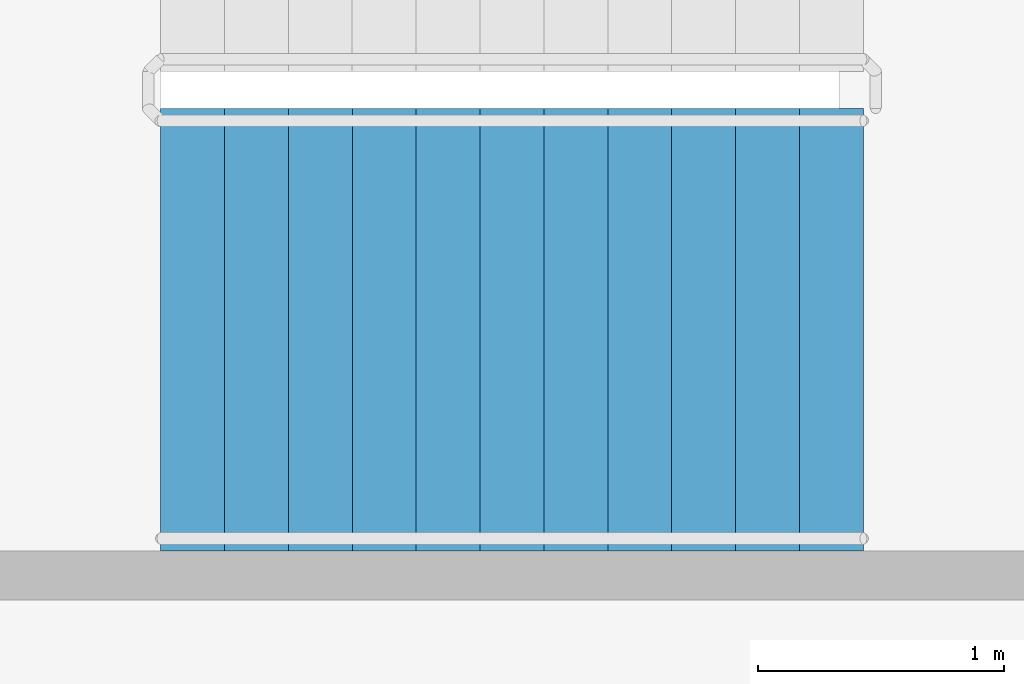
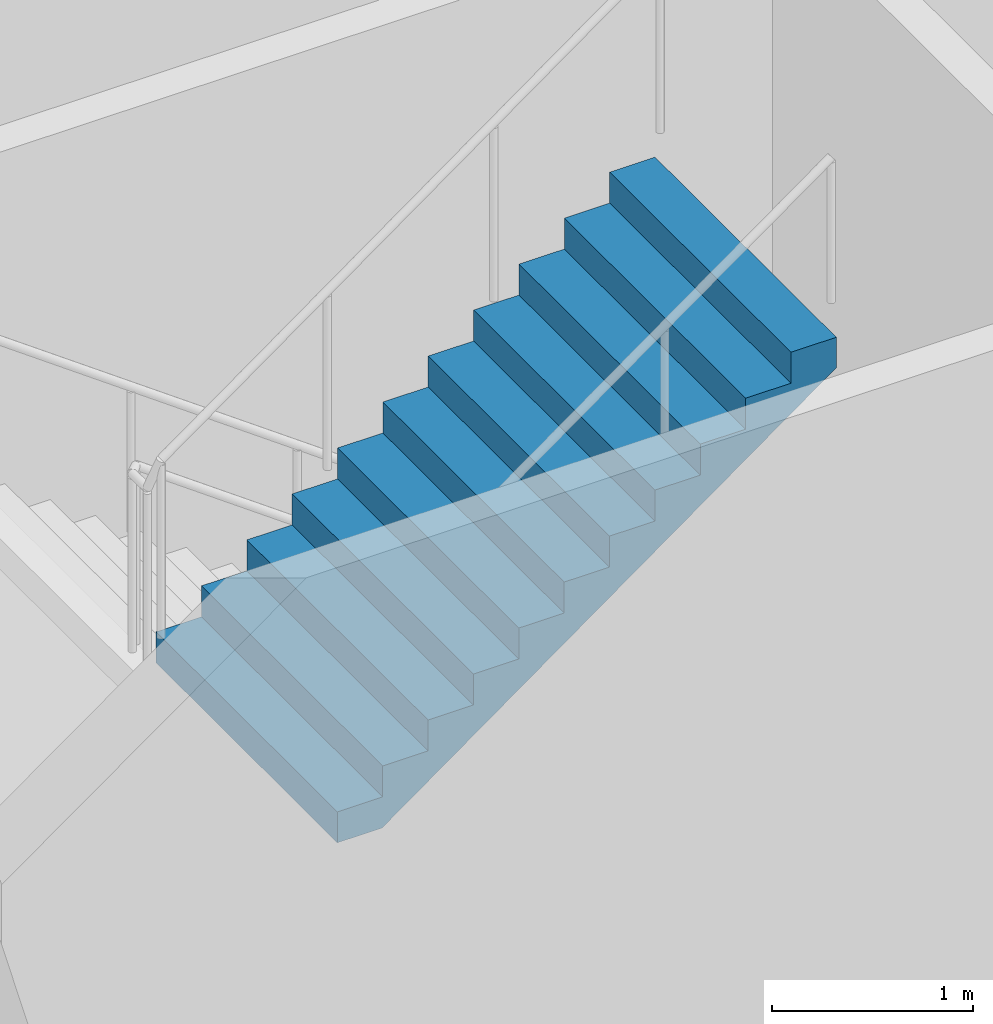
# One storey, part 33 of 51: 1 stair flight, 1 element without a shape of its own.
"""IFC4 building model written with IfcOpenShell, lengths in metres."""

from ifc_helpers import new_model, si_unit, direction, frame, origin, place, context, subcontext, project, spatial, faceted_brep, material, type_object, element, aggregate, save


model = new_model("IFC4")

# Units and contexts
model_context = context("Model", 3, precision=1e-05, world=origin(), true_north=direction((0.0, 1.0)))
body_context = subcontext(model_context, "Body", "Model", "MODEL_VIEW")
ifc_project = project(units=[si_unit("LENGTHUNIT", "METRE"), si_unit("AREAUNIT", "SQUARE_METRE"), si_unit("VOLUMEUNIT", "CUBIC_METRE"), si_unit("PLANEANGLEUNIT", "RADIAN"), si_unit("MASSUNIT", "GRAM", prefix="KILO")], contexts=[model_context])

# Site, building, storey
site_placement = place(None, origin())
site = spatial("IfcSite", under=ifc_project, at=site_placement, CompositionType="ELEMENT")
building_placement = place(site_placement, origin())
building = spatial("IfcBuilding", under=site, at=building_placement, Name="Ipe Terrace Towers", CompositionType="ELEMENT")
storey_placement = place(building_placement, frame((0.0, 0.0, 15.5)))
storey = spatial("IfcBuildingStorey", under=building, at=storey_placement, Name="L03", CompositionType="ELEMENT", Elevation=15.5)

# Stair, stair flight
ifc_material_1 = material(Name="Concrete C30/37", Category="concrete")
stair_type = type_object("IfcStairType", Name="Protected exit stair", PredefinedType="HALF_TURN_STAIR", material=ifc_material_1)
stair_placement = place(storey_placement, origin())
stair = element("IfcStair", 1, at=stair_placement, inside=storey, type_object=stair_type, Name="L03 Podium exit stair PS1", PredefinedType="HALF_TURN_STAIR")
ifc_material_2 = material(Name="Concrete C30/37", Category="concrete")
stair_flight_type = type_object("IfcStairFlightType", Name="Exit stair flight 1800", PredefinedType="STRAIGHT", material=ifc_material_2)
stair_flight_placement = place(storey_placement, frame((-57.1298828125, 23.550048828125, 2.25), z_axis=(0.0, 0.0, 1.0), x_axis=(1.0, 0.0, 0.0)))
stair_flight = element("IfcStairFlight", 2, at=stair_flight_placement, type_object=stair_flight_type, Name="PS1 flight 2", NumberOfRisers=12, NumberOfTreads=11, PredefinedType="STRAIGHT", RiserHeight=0.1875, TreadLength=0.26, context=body_context, shape_type="Brep", body=[
    faceted_brep([(0.25634765625, -0.89990234375, 0.0), (2.860107421875, -0.89990234375, 1.877685546875), (2.860107421875, -0.89990234375, 2.0625), (2.60009765625, -0.89990234375, 2.0625), (2.60009765625, -0.89990234375, 1.875), (2.340087890625, -0.89990234375, 1.875), (2.340087890625, -0.89990234375, 1.6875), (2.080078125, -0.89990234375, 1.6875), (2.080078125, -0.89990234375, 1.5), (1.820068359375, -0.89990234375, 1.5), (1.820068359375, -0.89990234375, 1.3125), (1.56005859375, -0.89990234375, 1.3125), (1.56005859375, -0.89990234375, 1.125), (1.300048828125, -0.89990234375, 1.125), (1.300048828125, -0.89990234375, 0.9375), (1.0400390625, -0.89990234375, 0.9375), (1.0400390625, -0.89990234375, 0.75), (0.780029296875, -0.89990234375, 0.75), (0.780029296875, -0.89990234375, 0.5625), (0.52001953125, -0.89990234375, 0.5625), (0.52001953125, -0.89990234375, 0.375), (0.260009765625, -0.89990234375, 0.375), (0.260009765625, -0.89990234375, 0.1875), (0.0, -0.89990234375, 0.1875), (0.0, -0.89990234375, 0.0), (0.0, 0.89990234375, 0.0), (0.0, 0.89990234375, 0.1875), (0.260009765625, 0.89990234375, 0.1875), (0.260009765625, 0.89990234375, 0.375), (0.52001953125, 0.89990234375, 0.375), (0.52001953125, 0.89990234375, 0.5625), (0.780029296875, 0.89990234375, 0.5625), (0.780029296875, 0.89990234375, 0.75), (1.0400390625, 0.89990234375, 0.75), (1.0400390625, 0.89990234375, 0.9375), (1.300048828125, 0.89990234375, 0.9375), (1.300048828125, 0.89990234375, 1.125), (1.56005859375, 0.89990234375, 1.125), (1.56005859375, 0.89990234375, 1.3125), (1.820068359375, 0.89990234375, 1.3125), (1.820068359375, 0.89990234375, 1.5), (2.080078125, 0.89990234375, 1.5), (2.080078125, 0.89990234375, 1.6875), (2.340087890625, 0.89990234375, 1.6875), (2.340087890625, 0.89990234375, 1.875), (2.60009765625, 0.89990234375, 1.875), (2.60009765625, 0.89990234375, 2.0625), (2.860107421875, 0.89990234375, 2.0625), (2.860107421875, 0.89990234375, 1.877685546875), (0.25634765625, 0.89990234375, 0.0), (0.0, -0.300048828125, 0.1875), (0.0, -0.1201171875, 0.1875), (0.0, -0.06005859375, 0.1875), (0.0, -0.030029296875, 0.1875), (0.0, -0.010009765625, 0.1875), (0.0, 0.0, 0.1875), (0.0, 0.010009765625, 0.1875), (0.0, 0.030029296875, 0.1875), (0.0, 0.06005859375, 0.1875), (0.0, 0.1201171875, 0.1875), (0.0, 0.300048828125, 0.1875), (0.0, 0.300048828125, 0.0), (0.0, 0.1201171875, 0.0), (0.0, 0.06005859375, 0.0), (0.0, 0.030029296875, 0.0), (0.0, 0.010009765625, 0.0), (0.0, 0.0, 0.0), (0.0, -0.010009765625, 0.0), (0.0, -0.030029296875, 0.0), (0.0, -0.06005859375, 0.0), (0.0, -0.1201171875, 0.0), (0.0, -0.300048828125, 0.0), (0.260009765625, -0.300048828125, 0.1875), (0.260009765625, -0.1201171875, 0.1875), (0.260009765625, -0.06005859375, 0.1875), (0.260009765625, -0.030029296875, 0.1875), (0.260009765625, -0.010009765625, 0.1875), (0.260009765625, 0.0, 0.1875), (0.260009765625, 0.010009765625, 0.1875), (0.260009765625, 0.030029296875, 0.1875), (0.260009765625, 0.06005859375, 0.1875), (0.260009765625, 0.1201171875, 0.1875), (0.260009765625, 0.300048828125, 0.1875), (0.260009765625, -0.300048828125, 0.375), (0.260009765625, -0.1201171875, 0.375), (0.260009765625, -0.06005859375, 0.375), (0.260009765625, -0.030029296875, 0.375), (0.260009765625, -0.010009765625, 0.375), (0.260009765625, 0.0, 0.375), (0.260009765625, 0.010009765625, 0.375), (0.260009765625, 0.030029296875, 0.375), (0.260009765625, 0.06005859375, 0.375), (0.260009765625, 0.1201171875, 0.375), (0.260009765625, 0.300048828125, 0.375), (0.52001953125, -0.300048828125, 0.375), (0.52001953125, -0.1201171875, 0.375), (0.52001953125, -0.06005859375, 0.375), (0.52001953125, -0.030029296875, 0.375), (0.52001953125, -0.010009765625, 0.375), (0.52001953125, 0.0, 0.375), (0.52001953125, 0.010009765625, 0.375), (0.52001953125, 0.030029296875, 0.375), (0.52001953125, 0.06005859375, 0.375), (0.52001953125, 0.1201171875, 0.375), (0.52001953125, 0.300048828125, 0.375), (0.52001953125, -0.300048828125, 0.5625), (0.52001953125, -0.1201171875, 0.5625), (0.52001953125, -0.06005859375, 0.5625), (0.52001953125, -0.030029296875, 0.5625), (0.52001953125, -0.010009765625, 0.5625), (0.52001953125, 0.0, 0.5625), (0.52001953125, 0.010009765625, 0.5625), (0.52001953125, 0.030029296875, 0.5625), (0.52001953125, 0.06005859375, 0.5625), (0.52001953125, 0.1201171875, 0.5625), (0.52001953125, 0.300048828125, 0.5625), (0.780029296875, -0.300048828125, 0.5625), (0.780029296875, -0.1201171875, 0.5625), (0.780029296875, -0.06005859375, 0.5625), (0.780029296875, -0.030029296875, 0.5625), (0.780029296875, -0.010009765625, 0.5625), (0.780029296875, 0.0, 0.5625), (0.780029296875, 0.010009765625, 0.5625), (0.780029296875, 0.030029296875, 0.5625), (0.780029296875, 0.06005859375, 0.5625), (0.780029296875, 0.1201171875, 0.5625), (0.780029296875, 0.300048828125, 0.5625), (0.780029296875, -0.300048828125, 0.75), (0.780029296875, -0.1201171875, 0.75), (0.780029296875, -0.06005859375, 0.75), (0.780029296875, -0.030029296875, 0.75), (0.780029296875, -0.010009765625, 0.75), (0.780029296875, 0.0, 0.75), (0.780029296875, 0.010009765625, 0.75), (0.780029296875, 0.030029296875, 0.75), (0.780029296875, 0.06005859375, 0.75), (0.780029296875, 0.1201171875, 0.75), (0.780029296875, 0.300048828125, 0.75), (1.0400390625, -0.300048828125, 0.75), (1.0400390625, -0.1201171875, 0.75), (1.0400390625, -0.06005859375, 0.75), (1.0400390625, -0.030029296875, 0.75), (1.0400390625, -0.010009765625, 0.75), (1.0400390625, 0.0, 0.75), (1.0400390625, 0.010009765625, 0.75), (1.0400390625, 0.030029296875, 0.75), (1.0400390625, 0.06005859375, 0.75), (1.0400390625, 0.1201171875, 0.75), (1.0400390625, 0.300048828125, 0.75), (1.0400390625, -0.300048828125, 0.9375), (1.0400390625, -0.1201171875, 0.9375), (1.0400390625, -0.06005859375, 0.9375), (1.0400390625, -0.030029296875, 0.9375), (1.0400390625, -0.010009765625, 0.9375), (1.0400390625, 0.0, 0.9375), (1.0400390625, 0.010009765625, 0.9375), (1.0400390625, 0.030029296875, 0.9375), (1.0400390625, 0.06005859375, 0.9375), (1.0400390625, 0.1201171875, 0.9375), (1.0400390625, 0.300048828125, 0.9375), (1.300048828125, -0.300048828125, 0.9375), (1.300048828125, -0.1201171875, 0.9375), (1.300048828125, -0.06005859375, 0.9375), (1.300048828125, -0.030029296875, 0.9375), (1.300048828125, -0.010009765625, 0.9375), (1.300048828125, 0.0, 0.9375), (1.300048828125, 0.010009765625, 0.9375), (1.300048828125, 0.030029296875, 0.9375), (1.300048828125, 0.06005859375, 0.9375), (1.300048828125, 0.1201171875, 0.9375), (1.300048828125, 0.300048828125, 0.9375), (1.300048828125, -0.300048828125, 1.125), (1.300048828125, -0.1201171875, 1.125), (1.300048828125, -0.06005859375, 1.125), (1.300048828125, -0.030029296875, 1.125), (1.300048828125, -0.010009765625, 1.125), (1.300048828125, 0.0, 1.125), (1.300048828125, 0.010009765625, 1.125), (1.300048828125, 0.030029296875, 1.125), (1.300048828125, 0.06005859375, 1.125), (1.300048828125, 0.1201171875, 1.125), (1.300048828125, 0.300048828125, 1.125), (1.56005859375, -0.300048828125, 1.125), (1.56005859375, -0.1201171875, 1.125), (1.56005859375, -0.06005859375, 1.125), (1.56005859375, -0.030029296875, 1.125), (1.56005859375, -0.010009765625, 1.125), (1.56005859375, 0.0, 1.125), (1.56005859375, 0.010009765625, 1.125), (1.56005859375, 0.030029296875, 1.125), (1.56005859375, 0.06005859375, 1.125), (1.56005859375, 0.1201171875, 1.125), (1.56005859375, 0.300048828125, 1.125), (1.56005859375, -0.300048828125, 1.3125), (1.56005859375, -0.1201171875, 1.3125), (1.56005859375, -0.06005859375, 1.3125), (1.56005859375, -0.030029296875, 1.3125), (1.56005859375, -0.010009765625, 1.3125), (1.56005859375, 0.0, 1.3125), (1.56005859375, 0.010009765625, 1.3125), (1.56005859375, 0.030029296875, 1.3125), (1.56005859375, 0.06005859375, 1.3125), (1.56005859375, 0.1201171875, 1.3125), (1.56005859375, 0.300048828125, 1.3125), (1.820068359375, -0.300048828125, 1.3125), (1.820068359375, -0.1201171875, 1.3125), (1.820068359375, -0.06005859375, 1.3125), (1.820068359375, -0.030029296875, 1.3125), (1.820068359375, -0.010009765625, 1.3125), (1.820068359375, 0.0, 1.3125), (1.820068359375, 0.010009765625, 1.3125), (1.820068359375, 0.030029296875, 1.3125), (1.820068359375, 0.06005859375, 1.3125), (1.820068359375, 0.1201171875, 1.3125), (1.820068359375, 0.300048828125, 1.3125), (1.820068359375, -0.300048828125, 1.5), (1.820068359375, -0.1201171875, 1.5), (1.820068359375, -0.06005859375, 1.5), (1.820068359375, -0.030029296875, 1.5), (1.820068359375, -0.010009765625, 1.5), (1.820068359375, 0.0, 1.5), (1.820068359375, 0.010009765625, 1.5), (1.820068359375, 0.030029296875, 1.5), (1.820068359375, 0.06005859375, 1.5), (1.820068359375, 0.1201171875, 1.5), (1.820068359375, 0.300048828125, 1.5), (2.080078125, -0.300048828125, 1.5), (2.080078125, -0.1201171875, 1.5), (2.080078125, -0.06005859375, 1.5), (2.080078125, -0.030029296875, 1.5), (2.080078125, -0.010009765625, 1.5), (2.080078125, 0.0, 1.5), (2.080078125, 0.010009765625, 1.5), (2.080078125, 0.030029296875, 1.5), (2.080078125, 0.06005859375, 1.5), (2.080078125, 0.1201171875, 1.5), (2.080078125, 0.300048828125, 1.5), (2.080078125, -0.300048828125, 1.6875), (2.080078125, -0.1201171875, 1.6875), (2.080078125, -0.06005859375, 1.6875), (2.080078125, -0.030029296875, 1.6875), (2.080078125, -0.010009765625, 1.6875), (2.080078125, 0.0, 1.6875), (2.080078125, 0.010009765625, 1.6875), (2.080078125, 0.030029296875, 1.6875), (2.080078125, 0.06005859375, 1.6875), (2.080078125, 0.1201171875, 1.6875), (2.080078125, 0.300048828125, 1.6875), (2.340087890625, -0.300048828125, 1.6875), (2.340087890625, -0.1201171875, 1.6875), (2.340087890625, -0.06005859375, 1.6875), (2.340087890625, -0.030029296875, 1.6875), (2.340087890625, -0.010009765625, 1.6875), (2.340087890625, 0.0, 1.6875), (2.340087890625, 0.010009765625, 1.6875), (2.340087890625, 0.030029296875, 1.6875), (2.340087890625, 0.06005859375, 1.6875), (2.340087890625, 0.1201171875, 1.6875), (2.340087890625, 0.300048828125, 1.6875), (2.340087890625, -0.300048828125, 1.875), (2.340087890625, -0.1201171875, 1.875), (2.340087890625, -0.06005859375, 1.875), (2.340087890625, -0.030029296875, 1.875), (2.340087890625, -0.010009765625, 1.875), (2.340087890625, 0.0, 1.875), (2.340087890625, 0.010009765625, 1.875), (2.340087890625, 0.030029296875, 1.875), (2.340087890625, 0.06005859375, 1.875), (2.340087890625, 0.1201171875, 1.875), (2.340087890625, 0.300048828125, 1.875), (2.60009765625, -0.300048828125, 1.875), (2.60009765625, -0.1201171875, 1.875), (2.60009765625, -0.06005859375, 1.875), (2.60009765625, -0.030029296875, 1.875), (2.60009765625, -0.010009765625, 1.875), (2.60009765625, 0.0, 1.875), (2.60009765625, 0.010009765625, 1.875), (2.60009765625, 0.030029296875, 1.875), (2.60009765625, 0.06005859375, 1.875), (2.60009765625, 0.1201171875, 1.875), (2.60009765625, 0.300048828125, 1.875), (2.60009765625, -0.300048828125, 2.0625), (2.60009765625, -0.1201171875, 2.0625), (2.60009765625, -0.06005859375, 2.0625), (2.60009765625, -0.030029296875, 2.0625), (2.60009765625, -0.010009765625, 2.0625), (2.60009765625, 0.0, 2.0625), (2.60009765625, 0.010009765625, 2.0625), (2.60009765625, 0.030029296875, 2.0625), (2.60009765625, 0.06005859375, 2.0625), (2.60009765625, 0.1201171875, 2.0625), (2.60009765625, 0.300048828125, 2.0625), (2.860107421875, -0.300048828125, 2.0625), (2.860107421875, -0.1201171875, 2.0625), (2.860107421875, -0.06005859375, 2.0625), (2.860107421875, -0.030029296875, 2.0625), (2.860107421875, -0.010009765625, 2.0625), (2.860107421875, 0.0, 2.0625), (2.860107421875, 0.010009765625, 2.0625), (2.860107421875, 0.030029296875, 2.0625), (2.860107421875, 0.06005859375, 2.0625), (2.860107421875, 0.1201171875, 2.0625), (2.860107421875, 0.300048828125, 2.0625), (2.860107421875, -0.300048828125, 1.877685546875), (2.860107421875, -0.1201171875, 1.877685546875), (2.860107421875, -0.06005859375, 1.877685546875), (2.860107421875, -0.030029296875, 1.877685546875), (2.860107421875, -0.010009765625, 1.877685546875), (2.860107421875, 0.0, 1.877685546875), (2.860107421875, 0.010009765625, 1.877685546875), (2.860107421875, 0.030029296875, 1.877685546875), (2.860107421875, 0.06005859375, 1.877685546875), (2.860107421875, 0.1201171875, 1.877685546875), (2.860107421875, 0.300048828125, 1.877685546875), (0.25634765625, -0.300048828125, 0.0), (0.25634765625, -0.1201171875, 0.0), (0.25634765625, -0.06005859375, 0.0), (0.25634765625, -0.030029296875, 0.0), (0.25634765625, -0.010009765625, 0.0), (0.25634765625, 0.0, 0.0), (0.25634765625, 0.010009765625, 0.0), (0.25634765625, 0.030029296875, 0.0), (0.25634765625, 0.06005859375, 0.0), (0.25634765625, 0.1201171875, 0.0), (0.25634765625, 0.300048828125, 0.0)], [[[0, 1, 2, 3, 4, 5, 6, 7, 8, 9, 10, 11, 12, 13, 14, 15, 16, 17, 18, 19, 20, 21, 22, 23, 24]], [[25, 26, 27, 28, 29, 30, 31, 32, 33, 34, 35, 36, 37, 38, 39, 40, 41, 42, 43, 44, 45, 46, 47, 48, 49]], [[23, 50, 51, 52, 53, 54, 55, 56, 57, 58, 59, 60, 26, 25, 61, 62, 63, 64, 65, 66, 67, 68, 69, 70, 71, 24]], [[22, 72, 73, 74, 75, 76, 77, 78, 79, 80, 81, 82, 27, 26, 60, 59, 58, 57, 56, 55, 54, 53, 52, 51, 50, 23]], [[21, 83, 84, 85, 86, 87, 88, 89, 90, 91, 92, 93, 28, 27, 82, 81, 80, 79, 78, 77, 76, 75, 74, 73, 72, 22]], [[20, 94, 95, 96, 97, 98, 99, 100, 101, 102, 103, 104, 29, 28, 93, 92, 91, 90, 89, 88, 87, 86, 85, 84, 83, 21]], [[19, 105, 106, 107, 108, 109, 110, 111, 112, 113, 114, 115, 30, 29, 104, 103, 102, 101, 100, 99, 98, 97, 96, 95, 94, 20]], [[18, 116, 117, 118, 119, 120, 121, 122, 123, 124, 125, 126, 31, 30, 115, 114, 113, 112, 111, 110, 109, 108, 107, 106, 105, 19]], [[17, 127, 128, 129, 130, 131, 132, 133, 134, 135, 136, 137, 32, 31, 126, 125, 124, 123, 122, 121, 120, 119, 118, 117, 116, 18]], [[16, 138, 139, 140, 141, 142, 143, 144, 145, 146, 147, 148, 33, 32, 137, 136, 135, 134, 133, 132, 131, 130, 129, 128, 127, 17]], [[15, 149, 150, 151, 152, 153, 154, 155, 156, 157, 158, 159, 34, 33, 148, 147, 146, 145, 144, 143, 142, 141, 140, 139, 138, 16]], [[14, 160, 161, 162, 163, 164, 165, 166, 167, 168, 169, 170, 35, 34, 159, 158, 157, 156, 155, 154, 153, 152, 151, 150, 149, 15]], [[13, 171, 172, 173, 174, 175, 176, 177, 178, 179, 180, 181, 36, 35, 170, 169, 168, 167, 166, 165, 164, 163, 162, 161, 160, 14]], [[12, 182, 183, 184, 185, 186, 187, 188, 189, 190, 191, 192, 37, 36, 181, 180, 179, 178, 177, 176, 175, 174, 173, 172, 171, 13]], [[11, 193, 194, 195, 196, 197, 198, 199, 200, 201, 202, 203, 38, 37, 192, 191, 190, 189, 188, 187, 186, 185, 184, 183, 182, 12]], [[10, 204, 205, 206, 207, 208, 209, 210, 211, 212, 213, 214, 39, 38, 203, 202, 201, 200, 199, 198, 197, 196, 195, 194, 193, 11]], [[9, 215, 216, 217, 218, 219, 220, 221, 222, 223, 224, 225, 40, 39, 214, 213, 212, 211, 210, 209, 208, 207, 206, 205, 204, 10]], [[8, 226, 227, 228, 229, 230, 231, 232, 233, 234, 235, 236, 41, 40, 225, 224, 223, 222, 221, 220, 219, 218, 217, 216, 215, 9]], [[7, 237, 238, 239, 240, 241, 242, 243, 244, 245, 246, 247, 42, 41, 236, 235, 234, 233, 232, 231, 230, 229, 228, 227, 226, 8]], [[6, 248, 249, 250, 251, 252, 253, 254, 255, 256, 257, 258, 43, 42, 247, 246, 245, 244, 243, 242, 241, 240, 239, 238, 237, 7]], [[5, 259, 260, 261, 262, 263, 264, 265, 266, 267, 268, 269, 44, 43, 258, 257, 256, 255, 254, 253, 252, 251, 250, 249, 248, 6]], [[4, 270, 271, 272, 273, 274, 275, 276, 277, 278, 279, 280, 45, 44, 269, 268, 267, 266, 265, 264, 263, 262, 261, 260, 259, 5]], [[3, 281, 282, 283, 284, 285, 286, 287, 288, 289, 290, 291, 46, 45, 280, 279, 278, 277, 276, 275, 274, 273, 272, 271, 270, 4]], [[2, 292, 293, 294, 295, 296, 297, 298, 299, 300, 301, 302, 47, 46, 291, 290, 289, 288, 287, 286, 285, 284, 283, 282, 281, 3]], [[1, 303, 304, 305, 306, 307, 308, 309, 310, 311, 312, 313, 48, 47, 302, 301, 300, 299, 298, 297, 296, 295, 294, 293, 292, 2]], [[0, 314, 315, 316, 317, 318, 319, 320, 321, 322, 323, 324, 49, 48, 313, 312, 311, 310, 309, 308, 307, 306, 305, 304, 303, 1]], [[24, 71, 70, 69, 68, 67, 66, 65, 64, 63, 62, 61, 25, 49, 324, 323, 322, 321, 320, 319, 318, 317, 316, 315, 314, 0]]]),
])
aggregate(stair, [stair_flight])

save(model, "model.ifc")
